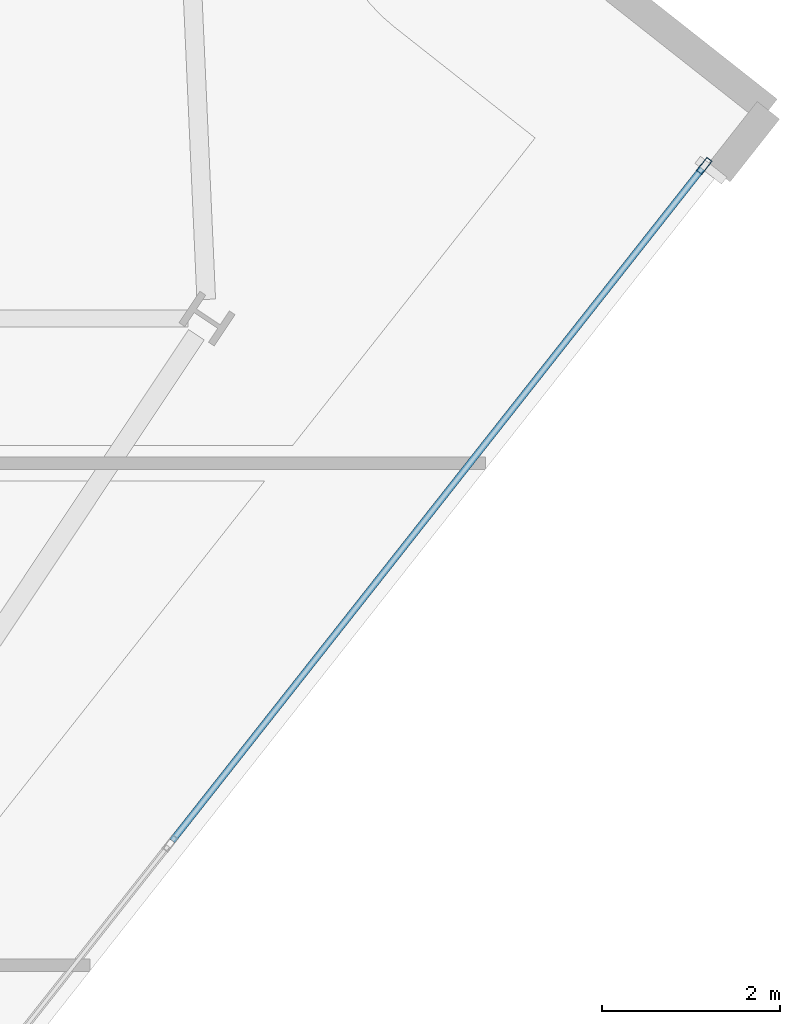
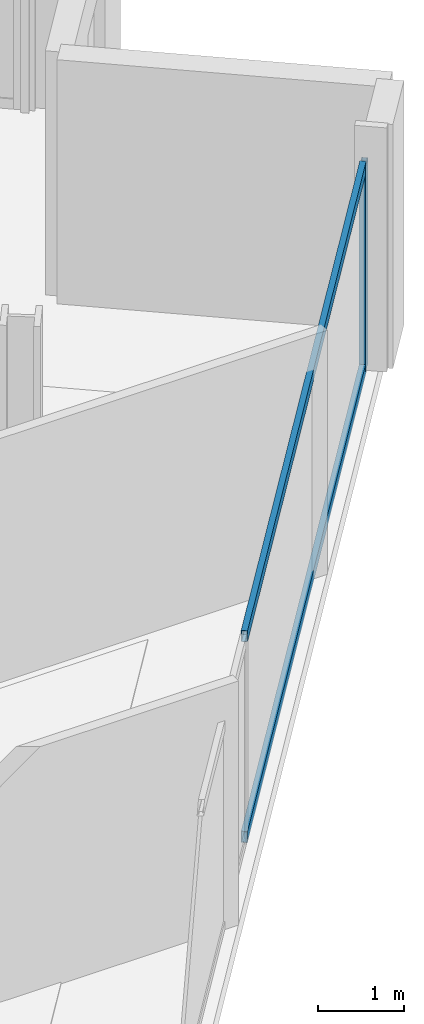
# One storey, part 12 of 28: 3 members, 1 element without a shape of its own.
"""IFC4 building model written with IfcOpenShell, lengths in metres."""

import ifcopenshell
import ifcopenshell.guid

model = None  # the IFC model being written
_history = None  # IfcOwnerHistory: only IFC2X3 demands one
_inside = {}  # id of a spatial element -> (the spatial element, [elements in it])
_under = {}  # id of a project, library or spatial element -> (it, [spatial elements below it])
_declared = {}  # id of a project -> (the project, [libraries it declares])
_typed = {}  # id of a type object -> (the type object, [elements of that type])
_made_of = {}  # id of a material, layer set ... -> (it, [elements and type objects made of it])


def new_model(schema):
    """Start an empty IFC model of exactly this schema.

    Asked for "IFC4X3", IfcOpenShell would pick the latest addendum, in which some entities
    have other attributes; the version numbers below select the first issue.
    IFC2X3 requires an IfcOwnerHistory on every rooted entity: one is made here for all.
    """
    global model, _history
    if schema == "IFC4X3":
        model = ifcopenshell.file(schema_version=(4, 3, 0, 0))
    else:
        model = ifcopenshell.file(schema=schema)
    _inside.clear()
    _under.clear()
    _declared.clear()
    _typed.clear()
    _made_of.clear()
    _history = None
    if model.schema == "IFC2X3":
        org = make("IfcOrganization", Name="unknown")
        user = make(
            "IfcPersonAndOrganization",
            ThePerson=make("IfcPerson", FamilyName="unknown"),
            TheOrganization=org,
        )
        app = make(
            "IfcApplication",
            ApplicationDeveloper=org,
            Version="unknown",
            ApplicationFullName="unknown",
            ApplicationIdentifier="unknown",
        )
        _history = make(
            "IfcOwnerHistory",
            OwningUser=user,
            OwningApplication=app,
            ChangeAction="ADDED",
            CreationDate=0,
        )
    return model


def make(cls, **values):
    """One entity of the class cls with the attributes given. An attribute that is None is left unset."""
    return model.create_entity(
        cls, **{name: value for name, value in values.items() if value is not None}
    )


def rooted(cls, **values):
    """An entity with a GlobalId (a new one), such as an element, a storey or a relation."""
    return make(cls, GlobalId=ifcopenshell.guid.new(), OwnerHistory=_history, **values)


def si_unit(unit_type, name, prefix=None):
    """IfcSIUnit, for example si_unit("LENGTHUNIT", "METRE", prefix="MILLI")."""
    return make("IfcSIUnit", UnitType=unit_type, Prefix=prefix, Name=name)


def assignment(units):
    """IfcUnitAssignment: the units of a project."""
    return None if units is None else make("IfcUnitAssignment", Units=units)


def point(xyz):
    """IfcCartesianPoint."""
    return None if xyz is None else make("IfcCartesianPoint", Coordinates=xyz)


def direction(xyz):
    """IfcDirection."""
    return None if xyz is None else make("IfcDirection", DirectionRatios=xyz)


def frame(location, z_axis=None, x_axis=None):
    """IfcAxis2Placement3D, a coordinate frame: its origin and axes. An axis left out is left unset."""
    return make(
        "IfcAxis2Placement3D",
        Location=point(location),
        Axis=direction(z_axis),
        RefDirection=direction(x_axis),
    )


def frame_2d(location, x_axis=None):
    """IfcAxis2Placement2D, a coordinate frame in the plane: its origin and x axis."""
    return make(
        "IfcAxis2Placement2D", Location=point(location), RefDirection=direction(x_axis)
    )


def origin():
    """The frame at (0, 0, 0) with its axes left unset."""
    return frame((0.0, 0.0, 0.0))


def origin_2d():
    """The frame at (0, 0) in the plane with its x axis left unset."""
    return frame_2d((0.0, 0.0))


def place(relative_to, where):
    """IfcLocalPlacement: puts the frame where relative to a parent placement (None: the world)."""
    return make(
        "IfcLocalPlacement", PlacementRelTo=relative_to, RelativePlacement=where
    )


def context(
    kind, dimensions, precision=None, world=None, true_north=None, identifier=None
):
    """IfcGeometricRepresentationContext, for example the 3D "Model" context."""
    return make(
        "IfcGeometricRepresentationContext",
        ContextIdentifier=identifier,
        ContextType=kind,
        CoordinateSpaceDimension=dimensions,
        Precision=precision,
        WorldCoordinateSystem=world,
        TrueNorth=true_north,
    )


def subcontext(parent, identifier, kind, view, scale=None):
    """IfcGeometricRepresentationSubContext, for example "Body" below "Model"."""
    return make(
        "IfcGeometricRepresentationSubContext",
        ContextIdentifier=identifier,
        ContextType=kind,
        ParentContext=parent,
        TargetScale=scale,
        TargetView=view,
    )


def project(units=None, contexts=None):
    """IfcProject with its units and contexts."""
    return rooted(
        "IfcProject",
        Name="project",
        RepresentationContexts=contexts,
        UnitsInContext=assignment(units),
    )


def spatial(cls, under=None, at=None, **own):
    """A site, building, storey or space (cls), placed at a placement, below another one or the project."""
    s = rooted(cls, ObjectPlacement=at, **own)
    if under is not None:
        _under.setdefault(under.id(), (under, []))[1].append(s)
    return s


def profile(cls, at=None, kind="AREA", **sizes):
    """A parametric profile (cls). Its sizes go by their IFC names, for example OverallWidth=200.0."""
    return make(cls, ProfileType=kind, Position=at, **sizes)


def hollow_rectangle(**sizes):
    """IfcRectangleHollowProfileDef."""
    return profile("IfcRectangleHollowProfileDef", **sizes)


def extrude(swept, where, along, depth):
    """IfcExtrudedAreaSolid: the profile swept, set in the frame where, extruded along a direction by depth."""
    return make(
        "IfcExtrudedAreaSolid",
        SweptArea=swept,
        Position=where,
        ExtrudedDirection=direction(along),
        Depth=depth,
    )


def shape(context_of_items, identifier, shape_type, items):
    """IfcShapeRepresentation: the items that make up one representation, for example the "Body"."""
    return make(
        "IfcShapeRepresentation",
        ContextOfItems=context_of_items,
        RepresentationIdentifier=identifier,
        RepresentationType=shape_type,
        Items=items,
    )


def material(Name=None, Category=None):
    """IfcMaterial."""
    return make("IfcMaterial", Name=Name, Category=Category)


def material_profile(
    of_material, cross_section, Name=None, Category=None, Priority=None
):
    """IfcMaterialProfile: a cross section and its material."""
    return make(
        "IfcMaterialProfile",
        Name=Name,
        Material=of_material,
        Profile=cross_section,
        Priority=Priority,
        Category=Category,
    )


def profile_set(profiles, Name=None, composite=None):
    """IfcMaterialProfileSet."""
    return make(
        "IfcMaterialProfileSet",
        Name=Name,
        MaterialProfiles=profiles,
        CompositeProfile=composite,
    )


def made_of(thing, what):
    """Note that an element or type object is made of a material, layer set ...; save() writes the relation."""
    if what is not None:
        _made_of.setdefault(what.id(), (what, []))[1].append(thing)
    return thing


def type_object(cls, material=None, **own):
    """A type object (cls), such as IfcWallType, which elements share."""
    return made_of(rooted(cls, **own), material)


def element(
    cls,
    number,
    at=None,
    inside=None,
    cuts=None,
    type_object=None,
    material=None,
    context=None,
    identifier="Body",
    shape_type=None,
    held_by="IfcProductDefinitionShape",
    body=None,
    shapes=None,
    **own,
):
    """One element of the class cls, such as IfcWall. Its Tag is "e" and its number.

    at: its placement. inside: the storey or other place that contains it. cuts: it is an
    opening in that element (IfcRelVoidsElement). A single representation is given by context,
    identifier, shape_type and body (its items); several are given by shapes. held_by: the class
    of the entity that holds the representations. save() writes the other relations.
    """
    e = rooted(cls, Tag="e%d" % number, ObjectPlacement=at, **own)
    if body is not None:
        shapes = [shape(context, identifier, shape_type, body)]
    if shapes is not None:
        e.Representation = make(held_by, Representations=shapes)
    if inside is not None:
        _inside.setdefault(inside.id(), (inside, []))[1].append(e)
    if cuts is not None:
        rooted(
            "IfcRelVoidsElement", RelatingBuildingElement=cuts, RelatedOpeningElement=e
        )
    if type_object is not None:
        _typed.setdefault(type_object.id(), (type_object, []))[1].append(e)
    return made_of(e, material)


def aggregate(whole, parts):
    """IfcRelAggregates: a whole, such as a stair, and the parts it consists of."""
    return rooted("IfcRelAggregates", RelatingObject=whole, RelatedObjects=parts)


def save(model, path):
    """Write the relations noted so far, then the file.

    IfcRelAggregates (storeys below a building ...), IfcRelContainedInSpatialStructure (elements
    in a storey), IfcRelDefinesByType, IfcRelAssociatesMaterial and IfcRelDeclares: one each for
    every whole, place, type object, material and project.
    """
    for whole, parts in _under.values():
        aggregate(whole, parts)
    for where, things in _inside.values():
        rooted(
            "IfcRelContainedInSpatialStructure",
            RelatedElements=things,
            RelatingStructure=where,
        )
    for kind, things in _typed.values():
        rooted("IfcRelDefinesByType", RelatedObjects=things, RelatingType=kind)
    for what, things in _made_of.values():
        rooted("IfcRelAssociatesMaterial", RelatedObjects=things, RelatingMaterial=what)
    for by, libraries in _declared.values():
        rooted("IfcRelDeclares", RelatingContext=by, RelatedDefinitions=libraries)
    model.write(path)


model = new_model("IFC4")

# Units and contexts
model_context = context("Model", 3, precision=1e-05, world=origin(), true_north=direction((0.0, 1.0)))
body_context = subcontext(model_context, "Body", "Model", "MODEL_VIEW")
ifc_project = project(units=[si_unit("LENGTHUNIT", "METRE"), si_unit("AREAUNIT", "SQUARE_METRE"), si_unit("VOLUMEUNIT", "CUBIC_METRE"), si_unit("PLANEANGLEUNIT", "RADIAN"), si_unit("MASSUNIT", "GRAM", prefix="KILO")], contexts=[model_context])

# Site, building, storey
site_placement = place(None, origin())
site = spatial("IfcSite", under=ifc_project, at=site_placement, CompositionType="ELEMENT")
building_placement = place(site_placement, origin())
building = spatial("IfcBuilding", under=site, at=building_placement, Name="Haldenkirk Collegiate Tower", CompositionType="ELEMENT")
storey_placement = place(building_placement, frame((0.0, 0.0, 202.199951171875)))
storey = spatial("IfcBuildingStorey", under=building, at=storey_placement, Name="L50", CompositionType="ELEMENT", Elevation=202.199951171875)

# Curtain wall, members
ifc_material = material(Name="Anodised architectural bronze aluminium", Category="aluminium")
curtain_wall_type = type_object("IfcCurtainWallType", Name="CW-SYS2-CONCAVE", PredefinedType="USERDEFINED", material=ifc_material)
curtain_wall_placement = place(storey_placement, origin())
curtain_wall = element("IfcCurtainWall", 1, at=curtain_wall_placement, inside=storey, type_object=curtain_wall_type, Name="L50 South concave recessed bronze-anodised curtain wall", ObjectType="UNITISED CURTAIN WALL", PredefinedType="USERDEFINED")
ifc_material_profile_1 = material_profile(ifc_material, hollow_rectangle(XDim=0.074951171875, YDim=0.18994140625, WallThickness=0.0048828125, at=origin_2d()), Name="CW-MUL-02")
ifc_profile_set_1 = profile_set([ifc_material_profile_1], Name="Anodised architectural bronze aluminium")
member_type_1 = type_object("IfcMemberType", Name="CW-MUL-02", PredefinedType="MULLION", material=ifc_profile_set_1)
member_1_placement = place(storey_placement, frame((66.36279296875, 26.846923828125, 0.0), z_axis=(0.0, 0.0, 1.0), x_axis=(0.7853168725, -0.619094023365, 0.0)))
member_1 = element("IfcMember", 2, at=member_1_placement, type_object=member_type_1, Name="CW-02 mullion 1", PredefinedType="MULLION", context=body_context, shape_type="SweptSolid", body=[
    extrude(hollow_rectangle(XDim=0.074951171875, YDim=0.18994140625, WallThickness=0.0048828125, at=origin_2d()), origin(), (0.0, 0.0, 1.0), 2.927978515625),
])
ifc_material_profile_2 = material_profile(ifc_material, hollow_rectangle(XDim=0.074951171875, YDim=0.159912109375, WallThickness=0.0048828125, at=origin_2d()), Name="CW-TRN-02")
ifc_profile_set_2 = profile_set([ifc_material_profile_2], Name="Anodised architectural bronze aluminium")
member_type_2 = type_object("IfcMemberType", Name="CW-TRN-02", PredefinedType="USERDEFINED", material=ifc_profile_set_2)
member_2_placement = place(storey_placement, frame((66.33935546875, 26.8173828125, 0.03759765625), z_axis=(-0.619087239464, -0.785322220451, 0.0), x_axis=(0.785322220451, -0.619087239464, 0.0)))
member_2 = element("IfcMember", 3, at=member_2_placement, type_object=member_type_2, Name="CW-02 transom 1.1", ObjectType="TRANSOM", PredefinedType="USERDEFINED", context=body_context, shape_type="SweptSolid", body=[
    extrude(hollow_rectangle(XDim=0.074951171875, YDim=0.159912109375, WallThickness=0.0048828125, at=origin_2d()), origin(), (0.0, 0.0, 1.0), 9.63720703125),
])
member_3_placement = place(storey_placement, frame((66.33935546875, 26.8173828125, 2.890625), z_axis=(-0.619087239464, -0.785322220451, 0.0), x_axis=(0.785322220451, -0.619087239464, 0.0)))
member_3 = element("IfcMember", 4, at=member_3_placement, type_object=member_type_2, Name="CW-02 transom 1.2", ObjectType="TRANSOM", PredefinedType="USERDEFINED", context=body_context, shape_type="SweptSolid", body=[
    extrude(hollow_rectangle(XDim=0.074951171875, YDim=0.159912109375, WallThickness=0.0048828125, at=origin_2d()), origin(), (0.0, 0.0, 1.0), 9.63720703125),
])
aggregate(curtain_wall, [member_1, member_2, member_3])

save(model, "model.ifc")
